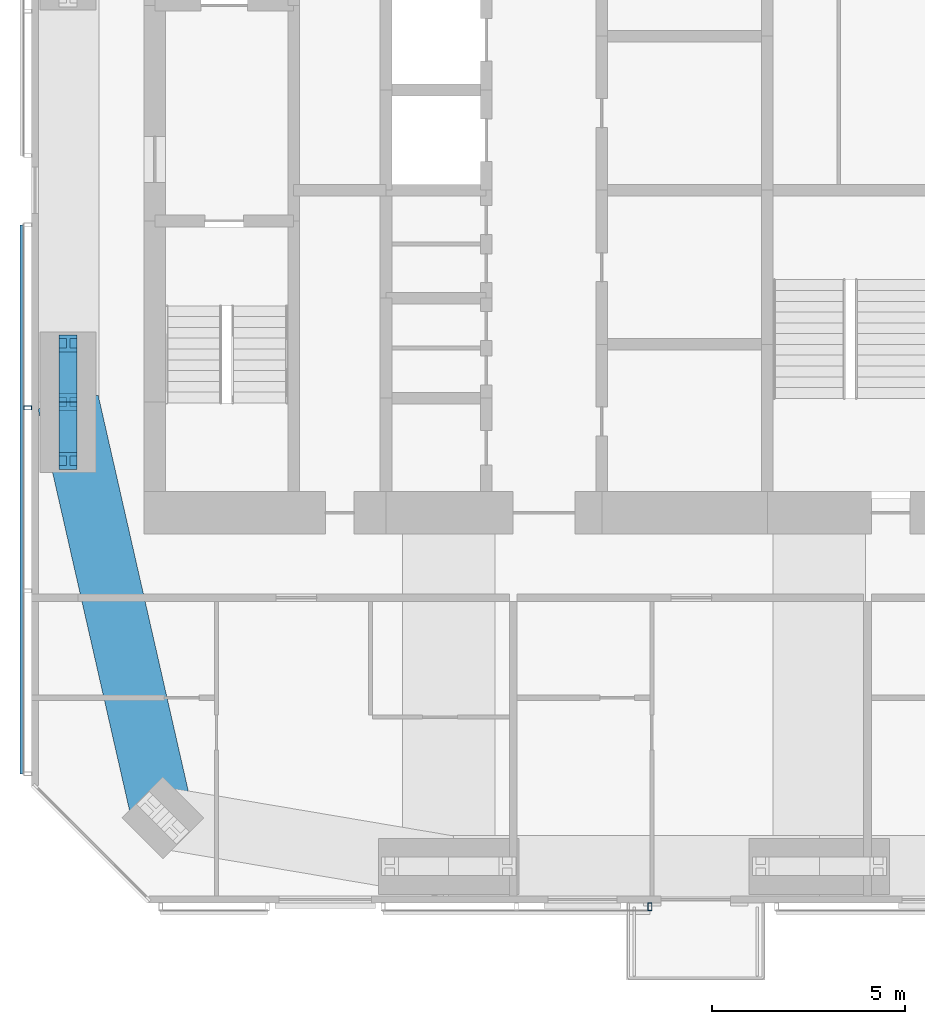
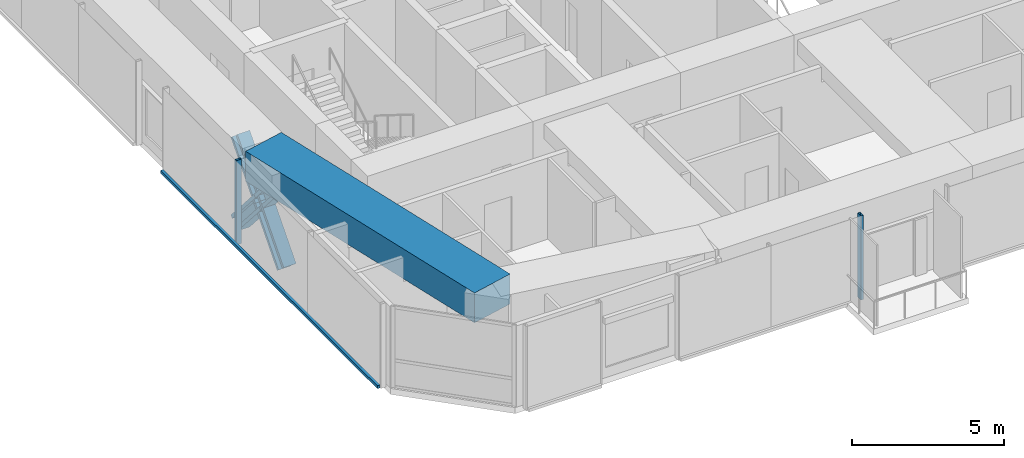
# One storey, part 3 of 18: 7 members, 1 beam, 2 elements without a shape of their own.
"""IFC4 building model written with IfcOpenShell, lengths in metres."""

from ifc_helpers import new_model, si_unit, direction, frame, origin, origin_2d, place, context, subcontext, project, spatial, rectangle, hollow_rectangle, i_section, extrude, material, material_profile, profile_set, type_object, element, aggregate, save


model = new_model("IFC4")

# Units and contexts
model_context = context("Model", 3, precision=1e-05, world=origin(), true_north=direction((0.0, 1.0)))
body_context = subcontext(model_context, "Body", "Model", "MODEL_VIEW")
ifc_project = project(units=[si_unit("LENGTHUNIT", "METRE"), si_unit("AREAUNIT", "SQUARE_METRE"), si_unit("VOLUMEUNIT", "CUBIC_METRE"), si_unit("PLANEANGLEUNIT", "RADIAN"), si_unit("MASSUNIT", "GRAM", prefix="KILO")], contexts=[model_context])

# Site, building, storey
site_placement = place(None, origin())
site = spatial("IfcSite", under=ifc_project, at=site_placement, CompositionType="ELEMENT")
building_placement = place(site_placement, origin())
building = spatial("IfcBuilding", under=site, at=building_placement, Name="Jalousie Tower", CompositionType="ELEMENT")
storey_placement = place(building_placement, frame((0.0, 0.0, 235.449951171875)))
storey = spatial("IfcBuildingStorey", under=building, at=storey_placement, Name="L64", CompositionType="ELEMENT", Elevation=235.449951171875)

# Members
ifc_material_1 = material(Name="Steel ASTM A992 Grade 50", Category="steel")
ifc_material_profile_1 = material_profile(ifc_material_1, i_section(OverallWidth=0.472412109375, OverallDepth=0.5791015625, WebThickness=0.094970703125, FlangeThickness=0.1298828125, at=origin_2d()), Name="W14X808")
ifc_profile_set_1 = profile_set([ifc_material_profile_1], Name="Steel ASTM A992 Grade 50")
member_type_1 = type_object("IfcMemberType", Name="PERIMETER BRACE W14X808", PredefinedType="BRACE", material=ifc_profile_set_1)
for number, where, z_axis, x_axis, name in (
    (1, (17.75, 11.47509765625, -0.599853515625), (0.0, 0.65695436777, 0.753930340726), (-1.0, 0.0, 0.0), "Perimeter brace 14 L64 part 1"),
    (2, (17.75, 13.0, 1.150146484375), (0.0, 0.65695436777, 0.753930340726), (-1.0, 0.0, 0.0), "Perimeter brace 14 L64 part 2"),
    (3, (17.75, 14.52490234375, -0.599853515625), (0.0, -0.65695436777, 0.753930340726), (1.0, 0.0, 0.0), "Perimeter brace 14 L64 part 3"),
    (4, (17.75, 13.0, 1.150146484375), (0.0, -0.65695436777, 0.753930340726), (1.0, 0.0, 0.0), "Perimeter brace 14 L64 part 4"),
):
    element("IfcMember", number, at=place(storey_placement, frame(where, z_axis=z_axis, x_axis=x_axis)), inside=storey, type_object=member_type_1, Name=name, PredefinedType="BRACE", context=body_context, shape_type="SweptSolid", body=[
        extrude(i_section(OverallWidth=0.472412109375, OverallDepth=0.5791015625, WebThickness=0.094970703125, FlangeThickness=0.1298828125, at=origin_2d()), origin(), (0.0, 0.0, 1.0), 2.3212890625),
    ])

# Beam
ifc_material_2 = material(Name="Concrete f'c 40 MPa", Category="concrete")
ifc_material_profile_2 = material_profile(ifc_material_2, rectangle(XDim=1.60009765625, YDim=1.199951171875, at=origin_2d()), Name="RC 1600x1200")
ifc_profile_set_2 = profile_set([ifc_material_profile_2], Name="Concrete f'c 40 MPa")
beam_type = type_object("IfcBeamType", Name="RC BEAM 1600x1200", PredefinedType="BEAM", material=ifc_profile_set_2)
beam_placement = place(storey_placement, frame((17.75, 13.0, 2.900146484375), z_axis=(0.221971905818, -0.975053061647, 0.0), x_axis=(0.975053061647, 0.221971905818, 0.0)))
element("IfcBeam", 5, at=beam_placement, inside=storey, type_object=beam_type, Name="Edge band beam 14-01 under L65", PredefinedType="BEAM", context=body_context, shape_type="SweptSolid", body=[
    extrude(rectangle(XDim=1.60009765625, YDim=1.199951171875, at=origin_2d()), origin(), (0.0, 0.0, 1.0), 11.069091796875),
])

# Curtain wall, member
ifc_material_3 = material(Name="Perforated aluminium sheet", Category="aluminium")
curtain_wall_type = type_object("IfcCurtainWallType", Name="SOLAR SCREEN SS-2", PredefinedType="USERDEFINED", material=ifc_material_3)
curtain_wall_1_placement = place(storey_placement, origin())
curtain_wall_1 = element("IfcCurtainWall", 6, at=curtain_wall_1_placement, inside=storey, type_object=curtain_wall_type, Name="Solar screen L64", ObjectType="SOLAR SCREEN SS-2", PredefinedType="USERDEFINED")
ifc_material_4 = material(Name="Steel ASTM A500 Grade C", Category="steel")
ifc_material_profile_3 = material_profile(ifc_material_4, hollow_rectangle(XDim=0.1015625, YDim=0.203125, WallThickness=0.0078125, at=origin_2d()), Name="HSS8X4X5/16")
ifc_profile_set_3 = profile_set([ifc_material_profile_3], Name="Steel ASTM A500 Grade C")
member_type_2 = type_object("IfcMemberType", Name="SOLAR SCREEN SS-2 MULLION", PredefinedType="MULLION", material=ifc_profile_set_3)
member_1_placement = place(storey_placement, frame((32.85009765625, -0.0966796875, -0.119873046875), z_axis=(0.0, 0.0, 1.0), x_axis=(1.0, 0.0, 0.0)))
member_1 = element("IfcMember", 7, at=member_1_placement, type_object=member_type_2, Name="SS2 post 3", PredefinedType="MULLION", context=body_context, shape_type="SweptSolid", body=[
    extrude(hollow_rectangle(XDim=0.1015625, YDim=0.203125, WallThickness=0.0078125, at=origin_2d()), origin(), (0.0, 0.0, 1.0), 3.3798828125),
])
aggregate(curtain_wall_1, [member_1])

# Curtain wall, members
curtain_wall_2_placement = place(storey_placement, origin())
curtain_wall_2 = element("IfcCurtainWall", 8, at=curtain_wall_2_placement, inside=storey, type_object=curtain_wall_type, Name="Solar screen L64", ObjectType="SOLAR SCREEN SS-2", PredefinedType="USERDEFINED")
member_2_placement = place(storey_placement, frame((16.703369140625, 12.850341796875, -0.119873046875), z_axis=(0.0, 0.0, 1.0), x_axis=(0.0, -1.0, 0.0)))
member_2 = element("IfcMember", 9, at=member_2_placement, type_object=member_type_2, Name="SS2 post 2", PredefinedType="MULLION", context=body_context, shape_type="SweptSolid", body=[
    extrude(hollow_rectangle(XDim=0.1015625, YDim=0.203125, WallThickness=0.0078125, at=origin_2d()), origin(), (0.0, 0.0, 1.0), 3.3798828125),
])
ifc_material_5 = material(Name="Extruded aluminium screen rail", Category="aluminium")
ifc_material_profile_4 = material_profile(ifc_material_5, rectangle(XDim=0.1015625, YDim=0.1201171875, at=origin_2d()), Name="RAIL 102x120")
ifc_profile_set_4 = profile_set([ifc_material_profile_4], Name="Extruded aluminium screen rail")
member_type_3 = type_object("IfcMemberType", Name="SOLAR SCREEN SS-2 TRANSOM", PredefinedType="USERDEFINED", material=ifc_profile_set_4)
member_3_placement = place(storey_placement, frame((16.551025390625, 17.60009765625, -0.06005859375), z_axis=(0.0, -1.0, 0.0), x_axis=(1.0, 0.0, 0.0)))
member_3 = element("IfcMember", 10, at=member_3_placement, type_object=member_type_3, Name="SS2 rail", ObjectType="TRANSOM", PredefinedType="USERDEFINED", context=body_context, shape_type="SweptSolid", body=[
    extrude(rectangle(XDim=0.1015625, YDim=0.1201171875, at=origin_2d()), origin(), (0.0, 0.0, 1.0), 14.248779296875),
])
aggregate(curtain_wall_2, [member_2, member_3])

save(model, "model.ifc")
